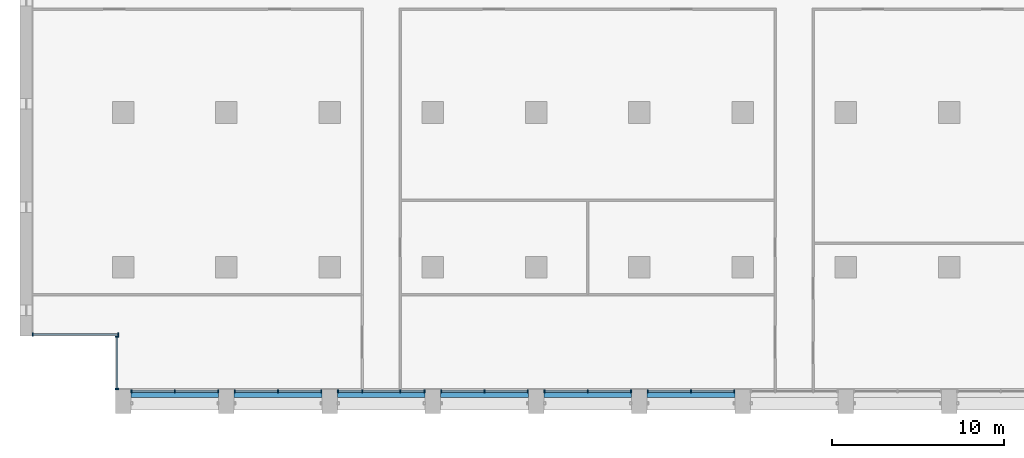
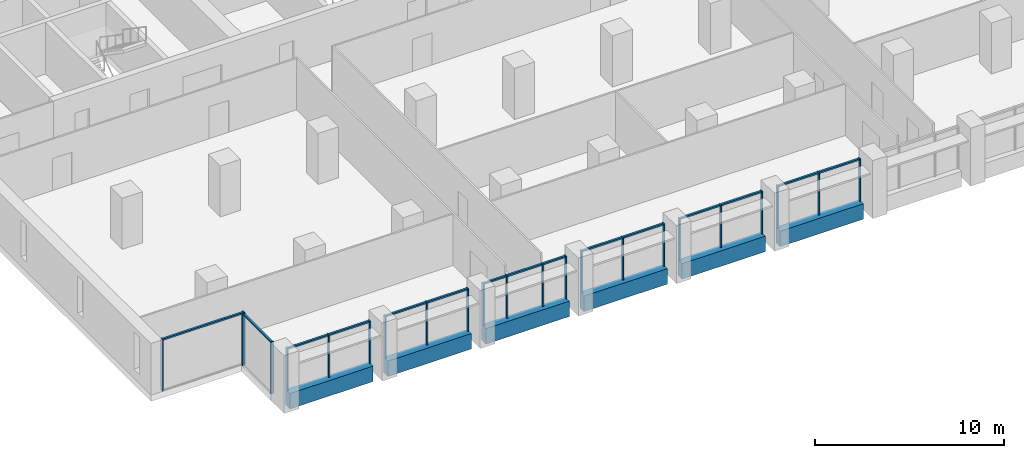
# One storey, part 2 of 15: 38 members, 6 beams, 8 elements without a shape of their own.
"""IFC4 building model written with IfcOpenShell, lengths in metres."""

from ifc_helpers import new_model, si_unit, direction, frame, origin, origin_2d, place, context, subcontext, project, spatial, rectangle, extrude, material, material_profile, profile_set, type_object, element, aggregate, save


model = new_model("IFC4")

# Units and contexts
model_context = context("Model", 3, precision=1e-05, world=origin(), true_north=direction((0.0, 1.0)))
body_context = subcontext(model_context, "Body", "Model", "MODEL_VIEW")
ifc_project = project(units=[si_unit("LENGTHUNIT", "METRE"), si_unit("AREAUNIT", "SQUARE_METRE"), si_unit("VOLUMEUNIT", "CUBIC_METRE"), si_unit("PLANEANGLEUNIT", "RADIAN"), si_unit("MASSUNIT", "GRAM", prefix="KILO")], contexts=[model_context])

# Site, building, storey
site_placement = place(None, origin())
site = spatial("IfcSite", under=ifc_project, at=site_placement, CompositionType="ELEMENT")
building_placement = place(site_placement, origin())
building = spatial("IfcBuilding", under=site, at=building_placement, Name="Calvaro Tower", CompositionType="ELEMENT")
storey_placement = place(building_placement, frame((0.0, 0.0, 143.75)))
storey = spatial("IfcBuildingStorey", under=building, at=storey_placement, Name="L36", CompositionType="ELEMENT", Elevation=143.75)

# Curtain wall, members
ifc_material_1 = material(Name="Anodised aluminium", Category="aluminium")
curtain_wall_type = type_object("IfcCurtainWallType", Name="Office curtain wall, middle zone", PredefinedType="NOTDEFINED", material=ifc_material_1)
curtain_wall_1_placement = place(storey_placement, origin())
curtain_wall_1 = element("IfcCurtainWall", 1, at=curtain_wall_1_placement, inside=storey, type_object=curtain_wall_type, Name="CW2 south curtain wall", PredefinedType="NOTDEFINED")
ifc_material_2 = material(Name="Anodised aluminium", Category="aluminium")
ifc_material_profile_1 = material_profile(ifc_material_2, rectangle(XDim=0.199951171875, YDim=0.070068359375, at=origin_2d()), Name="Mullion S2 70 x 200")
ifc_profile_set_1 = profile_set([ifc_material_profile_1], Name="Anodised aluminium")
member_type_1 = type_object("IfcMemberType", Name="Mullion S2 70 x 200", PredefinedType="MULLION", material=ifc_profile_set_1)
member_1_placement = place(storey_placement, frame((6.485107421875, 2.800048828125, 0.0), z_axis=(0.0, 0.0, 1.0), x_axis=(0.0, 1.0, 0.0)))
member_1 = element("IfcMember", 2, at=member_1_placement, type_object=member_type_1, Name="CW2 mullion 1", PredefinedType="MULLION", context=body_context, shape_type="SweptSolid", body=[
    extrude(rectangle(XDim=0.199951171875, YDim=0.070068359375, at=origin_2d()), origin(), (0.0, 0.0, 1.0), 2.75),
])
member_2_placement = place(storey_placement, frame((9.0, 2.800048828125, 0.0), z_axis=(0.0, 0.0, 1.0), x_axis=(0.0, 1.0, 0.0)))
member_2 = element("IfcMember", 3, at=member_2_placement, type_object=member_type_1, Name="CW2 mullion 2", PredefinedType="MULLION", context=body_context, shape_type="SweptSolid", body=[
    extrude(rectangle(XDim=0.199951171875, YDim=0.070068359375, at=origin_2d()), origin(), (0.0, 0.0, 1.0), 2.75),
])
member_3_placement = place(storey_placement, frame((11.514892578125, 2.800048828125, 0.0), z_axis=(0.0, 0.0, 1.0), x_axis=(0.0, 1.0, 0.0)))
member_3 = element("IfcMember", 4, at=member_3_placement, type_object=member_type_1, Name="CW2 mullion 3", PredefinedType="MULLION", context=body_context, shape_type="SweptSolid", body=[
    extrude(rectangle(XDim=0.199951171875, YDim=0.070068359375, at=origin_2d()), origin(), (0.0, 0.0, 1.0), 2.75),
])

curtain_wall_2_placement = place(storey_placement, origin())
curtain_wall_2 = element("IfcCurtainWall", 5, at=curtain_wall_2_placement, inside=storey, type_object=curtain_wall_type, Name="CW2 south curtain wall", PredefinedType="NOTDEFINED")
member_4_placement = place(storey_placement, frame((12.485107421875, 2.800048828125, 0.0), z_axis=(0.0, 0.0, 1.0), x_axis=(0.0, 1.0, 0.0)))
member_4 = element("IfcMember", 6, at=member_4_placement, type_object=member_type_1, Name="CW2 mullion 1", PredefinedType="MULLION", context=body_context, shape_type="SweptSolid", body=[
    extrude(rectangle(XDim=0.199951171875, YDim=0.070068359375, at=origin_2d()), origin(), (0.0, 0.0, 1.0), 2.75),
])
member_5_placement = place(storey_placement, frame((15.0, 2.800048828125, 0.0), z_axis=(0.0, 0.0, 1.0), x_axis=(0.0, 1.0, 0.0)))
member_5 = element("IfcMember", 7, at=member_5_placement, type_object=member_type_1, Name="CW2 mullion 2", PredefinedType="MULLION", context=body_context, shape_type="SweptSolid", body=[
    extrude(rectangle(XDim=0.199951171875, YDim=0.070068359375, at=origin_2d()), origin(), (0.0, 0.0, 1.0), 2.75),
])
member_6_placement = place(storey_placement, frame((17.514892578125, 2.800048828125, 0.0), z_axis=(0.0, 0.0, 1.0), x_axis=(0.0, 1.0, 0.0)))
member_6 = element("IfcMember", 8, at=member_6_placement, type_object=member_type_1, Name="CW2 mullion 3", PredefinedType="MULLION", context=body_context, shape_type="SweptSolid", body=[
    extrude(rectangle(XDim=0.199951171875, YDim=0.070068359375, at=origin_2d()), origin(), (0.0, 0.0, 1.0), 2.75),
])

curtain_wall_3_placement = place(storey_placement, origin())
curtain_wall_3 = element("IfcCurtainWall", 9, at=curtain_wall_3_placement, inside=storey, type_object=curtain_wall_type, Name="CW2 south curtain wall", PredefinedType="NOTDEFINED")
member_7_placement = place(storey_placement, frame((18.485107421875, 2.800048828125, 0.0), z_axis=(0.0, 0.0, 1.0), x_axis=(0.0, 1.0, 0.0)))
member_7 = element("IfcMember", 10, at=member_7_placement, type_object=member_type_1, Name="CW2 mullion 1", PredefinedType="MULLION", context=body_context, shape_type="SweptSolid", body=[
    extrude(rectangle(XDim=0.199951171875, YDim=0.070068359375, at=origin_2d()), origin(), (0.0, 0.0, 1.0), 2.75),
])
member_8_placement = place(storey_placement, frame((19.89990234375, 2.800048828125, 0.0), z_axis=(0.0, 0.0, 1.0), x_axis=(0.0, 1.0, 0.0)))
member_8 = element("IfcMember", 11, at=member_8_placement, type_object=member_type_1, Name="CW2 mullion 2", PredefinedType="MULLION", context=body_context, shape_type="SweptSolid", body=[
    extrude(rectangle(XDim=0.199951171875, YDim=0.070068359375, at=origin_2d()), origin(), (0.0, 0.0, 1.0), 2.75),
])
member_9_placement = place(storey_placement, frame((22.10009765625, 2.800048828125, 0.0), z_axis=(0.0, 0.0, 1.0), x_axis=(0.0, 1.0, 0.0)))
member_9 = element("IfcMember", 12, at=member_9_placement, type_object=member_type_1, Name="CW2 mullion 3", PredefinedType="MULLION", context=body_context, shape_type="SweptSolid", body=[
    extrude(rectangle(XDim=0.199951171875, YDim=0.070068359375, at=origin_2d()), origin(), (0.0, 0.0, 1.0), 2.75),
])
member_10_placement = place(storey_placement, frame((23.514892578125, 2.800048828125, 0.0), z_axis=(0.0, 0.0, 1.0), x_axis=(0.0, 1.0, 0.0)))
member_10 = element("IfcMember", 13, at=member_10_placement, type_object=member_type_1, Name="CW2 mullion 4", PredefinedType="MULLION", context=body_context, shape_type="SweptSolid", body=[
    extrude(rectangle(XDim=0.199951171875, YDim=0.070068359375, at=origin_2d()), origin(), (0.0, 0.0, 1.0), 2.75),
])

curtain_wall_4_placement = place(storey_placement, origin())
curtain_wall_4 = element("IfcCurtainWall", 14, at=curtain_wall_4_placement, inside=storey, type_object=curtain_wall_type, Name="CW2 south curtain wall", PredefinedType="NOTDEFINED")
member_11_placement = place(storey_placement, frame((24.485107421875, 2.800048828125, 0.0), z_axis=(0.0, 0.0, 1.0), x_axis=(0.0, 1.0, 0.0)))
member_11 = element("IfcMember", 15, at=member_11_placement, type_object=member_type_1, Name="CW2 mullion 1", PredefinedType="MULLION", context=body_context, shape_type="SweptSolid", body=[
    extrude(rectangle(XDim=0.199951171875, YDim=0.070068359375, at=origin_2d()), origin(), (0.0, 0.0, 1.0), 2.75),
])
member_12_placement = place(storey_placement, frame((27.0, 2.800048828125, 0.0), z_axis=(0.0, 0.0, 1.0), x_axis=(0.0, 1.0, 0.0)))
member_12 = element("IfcMember", 16, at=member_12_placement, type_object=member_type_1, Name="CW2 mullion 2", PredefinedType="MULLION", context=body_context, shape_type="SweptSolid", body=[
    extrude(rectangle(XDim=0.199951171875, YDim=0.070068359375, at=origin_2d()), origin(), (0.0, 0.0, 1.0), 2.75),
])
member_13_placement = place(storey_placement, frame((29.514892578125, 2.800048828125, 0.0), z_axis=(0.0, 0.0, 1.0), x_axis=(0.0, 1.0, 0.0)))
member_13 = element("IfcMember", 17, at=member_13_placement, type_object=member_type_1, Name="CW2 mullion 3", PredefinedType="MULLION", context=body_context, shape_type="SweptSolid", body=[
    extrude(rectangle(XDim=0.199951171875, YDim=0.070068359375, at=origin_2d()), origin(), (0.0, 0.0, 1.0), 2.75),
])

curtain_wall_5_placement = place(storey_placement, origin())
curtain_wall_5 = element("IfcCurtainWall", 18, at=curtain_wall_5_placement, inside=storey, type_object=curtain_wall_type, Name="CW2 south curtain wall", PredefinedType="NOTDEFINED")
member_14_placement = place(storey_placement, frame((30.485107421875, 2.800048828125, 0.0), z_axis=(0.0, 0.0, 1.0), x_axis=(0.0, 1.0, 0.0)))
member_14 = element("IfcMember", 19, at=member_14_placement, type_object=member_type_1, Name="CW2 mullion 1", PredefinedType="MULLION", context=body_context, shape_type="SweptSolid", body=[
    extrude(rectangle(XDim=0.199951171875, YDim=0.070068359375, at=origin_2d()), origin(), (0.0, 0.0, 1.0), 2.75),
])
member_15_placement = place(storey_placement, frame((33.0, 2.800048828125, 0.0), z_axis=(0.0, 0.0, 1.0), x_axis=(0.0, 1.0, 0.0)))
member_15 = element("IfcMember", 20, at=member_15_placement, type_object=member_type_1, Name="CW2 mullion 2", PredefinedType="MULLION", context=body_context, shape_type="SweptSolid", body=[
    extrude(rectangle(XDim=0.199951171875, YDim=0.070068359375, at=origin_2d()), origin(), (0.0, 0.0, 1.0), 2.75),
])
member_16_placement = place(storey_placement, frame((35.514892578125, 2.800048828125, 0.0), z_axis=(0.0, 0.0, 1.0), x_axis=(0.0, 1.0, 0.0)))
member_16 = element("IfcMember", 21, at=member_16_placement, type_object=member_type_1, Name="CW2 mullion 3", PredefinedType="MULLION", context=body_context, shape_type="SweptSolid", body=[
    extrude(rectangle(XDim=0.199951171875, YDim=0.070068359375, at=origin_2d()), origin(), (0.0, 0.0, 1.0), 2.75),
])

curtain_wall_6_placement = place(storey_placement, origin())
curtain_wall_6 = element("IfcCurtainWall", 22, at=curtain_wall_6_placement, inside=storey, type_object=curtain_wall_type, Name="CW2 south curtain wall", PredefinedType="NOTDEFINED")
member_17_placement = place(storey_placement, frame((36.485107421875, 2.800048828125, 0.0), z_axis=(0.0, 0.0, 1.0), x_axis=(0.0, 1.0, 0.0)))
member_17 = element("IfcMember", 23, at=member_17_placement, type_object=member_type_1, Name="CW2 mullion 1", PredefinedType="MULLION", context=body_context, shape_type="SweptSolid", body=[
    extrude(rectangle(XDim=0.199951171875, YDim=0.070068359375, at=origin_2d()), origin(), (0.0, 0.0, 1.0), 2.75),
])
member_18_placement = place(storey_placement, frame((39.0, 2.800048828125, 0.0), z_axis=(0.0, 0.0, 1.0), x_axis=(0.0, 1.0, 0.0)))
member_18 = element("IfcMember", 24, at=member_18_placement, type_object=member_type_1, Name="CW2 mullion 2", PredefinedType="MULLION", context=body_context, shape_type="SweptSolid", body=[
    extrude(rectangle(XDim=0.199951171875, YDim=0.070068359375, at=origin_2d()), origin(), (0.0, 0.0, 1.0), 2.75),
])
member_19_placement = place(storey_placement, frame((41.514892578125, 2.800048828125, 0.0), z_axis=(0.0, 0.0, 1.0), x_axis=(0.0, 1.0, 0.0)))
member_19 = element("IfcMember", 25, at=member_19_placement, type_object=member_type_1, Name="CW2 mullion 3", PredefinedType="MULLION", context=body_context, shape_type="SweptSolid", body=[
    extrude(rectangle(XDim=0.199951171875, YDim=0.070068359375, at=origin_2d()), origin(), (0.0, 0.0, 1.0), 2.75),
])

curtain_wall_7_placement = place(storey_placement, origin())
curtain_wall_7 = element("IfcCurtainWall", 26, at=curtain_wall_7_placement, inside=storey, type_object=curtain_wall_type, Name="CW2 corner curtain wall", PredefinedType="NOTDEFINED")
member_20_placement = place(storey_placement, frame((5.64990234375, 2.93505859375, 0.0), z_axis=(0.0, 0.0, 1.0), x_axis=(-1.0, 0.0, 0.0)))
member_20 = element("IfcMember", 27, at=member_20_placement, type_object=member_type_1, Name="CW2 mullion 1", PredefinedType="MULLION", context=body_context, shape_type="SweptSolid", body=[
    extrude(rectangle(XDim=0.199951171875, YDim=0.070068359375, at=origin_2d()), origin(), (0.0, 0.0, 1.0), 3.35009765625),
])
member_21_placement = place(storey_placement, frame((5.64990234375, 5.965087890625, 0.0), z_axis=(0.0, 0.0, 1.0), x_axis=(-1.0, 0.0, 0.0)))
member_21 = element("IfcMember", 28, at=member_21_placement, type_object=member_type_1, Name="CW2 mullion 2", PredefinedType="MULLION", context=body_context, shape_type="SweptSolid", body=[
    extrude(rectangle(XDim=0.199951171875, YDim=0.070068359375, at=origin_2d()), origin(), (0.0, 0.0, 1.0), 3.35009765625),
])

curtain_wall_8_placement = place(storey_placement, origin())
curtain_wall_8 = element("IfcCurtainWall", 29, at=curtain_wall_8_placement, inside=storey, type_object=curtain_wall_type, Name="CW2 corner curtain wall", PredefinedType="NOTDEFINED")
member_22_placement = place(storey_placement, frame((0.735107421875, 6.10009765625, 0.0), z_axis=(0.0, 0.0, 1.0), x_axis=(0.0, 1.0, 0.0)))
member_22 = element("IfcMember", 30, at=member_22_placement, type_object=member_type_1, Name="CW2 mullion 1", PredefinedType="MULLION", context=body_context, shape_type="SweptSolid", body=[
    extrude(rectangle(XDim=0.199951171875, YDim=0.070068359375, at=origin_2d()), origin(), (0.0, 0.0, 1.0), 3.35009765625),
])
member_23_placement = place(storey_placement, frame((5.715087890625, 6.10009765625, 0.0), z_axis=(0.0, 0.0, 1.0), x_axis=(0.0, 1.0, 0.0)))
member_23 = element("IfcMember", 31, at=member_23_placement, type_object=member_type_1, Name="CW2 mullion 2", PredefinedType="MULLION", context=body_context, shape_type="SweptSolid", body=[
    extrude(rectangle(XDim=0.199951171875, YDim=0.070068359375, at=origin_2d()), origin(), (0.0, 0.0, 1.0), 3.35009765625),
])

# Beams
ifc_material_3 = material(Name="Concrete C50/60 precast", Category="concrete")
ifc_material_profile_2 = material_profile(ifc_material_3, rectangle(XDim=0.449951171875, YDim=1.0, at=origin_2d()), Name="RC 450x1000")
ifc_profile_set_2 = profile_set([ifc_material_profile_2], Name="Concrete C50/60 precast")
beam_type = type_object("IfcBeamType", Name="Spandrel beam 450x1000 C50/60", PredefinedType="SPANDREL", material=ifc_profile_set_2)
for number, where, z_axis, x_axis, name in (
    (32, (6.449951171875, 2.675048828125, -0.5), (1.0, 0.0, 0.0), (0.0, 1.0, 0.0), "Spandrel beam"),
    (33, (12.449951171875, 2.675048828125, -0.5), (1.0, 0.0, 0.0), (0.0, 1.0, 0.0), "Spandrel beam"),
    (34, (18.449951171875, 2.675048828125, -0.5), (1.0, 0.0, 0.0), (0.0, 1.0, 0.0), "Spandrel beam"),
    (35, (24.449951171875, 2.675048828125, -0.5), (1.0, 0.0, 0.0), (0.0, 1.0, 0.0), "Spandrel beam"),
    (36, (30.449951171875, 2.675048828125, -0.5), (1.0, 0.0, 0.0), (0.0, 1.0, 0.0), "Spandrel beam"),
    (37, (36.449951171875, 2.675048828125, -0.5), (1.0, 0.0, 0.0), (0.0, 1.0, 0.0), "Spandrel beam"),
):
    element("IfcBeam", number, at=place(storey_placement, frame(where, z_axis=z_axis, x_axis=x_axis)), inside=storey, type_object=beam_type, Name=name, PredefinedType="SPANDREL", context=body_context, shape_type="SweptSolid", body=[
        extrude(rectangle(XDim=0.449951171875, YDim=1.0, at=origin_2d()), origin(), (0.0, 0.0, 1.0), 5.10009765625),
    ])

# Member
ifc_material_4 = material(Name="Anodised aluminium", Category="aluminium")
ifc_material_profile_3 = material_profile(ifc_material_4, rectangle(XDim=0.1201171875, YDim=0.10009765625, at=origin_2d()), Name="Transom S2 100 x 120")
ifc_profile_set_3 = profile_set([ifc_material_profile_3], Name="Anodised aluminium")
member_type_2 = type_object("IfcMemberType", Name="Transom S2 100 x 120", PredefinedType="USERDEFINED", material=ifc_profile_set_3)
member_24_placement = place(storey_placement, frame((6.52001953125, 2.800048828125, 2.699951171875), z_axis=(1.0, 0.0, 0.0), x_axis=(0.0, 1.0, 0.0)))
member_24 = element("IfcMember", 38, at=member_24_placement, type_object=member_type_2, Name="CW2 transom 1.1", ObjectType="TRANSOM", PredefinedType="USERDEFINED", context=body_context, shape_type="SweptSolid", body=[
    extrude(rectangle(XDim=0.1201171875, YDim=0.10009765625, at=origin_2d()), origin(), (0.0, 0.0, 1.0), 2.445068359375),
])

member_25_placement = place(storey_placement, frame((9.034912109375, 2.800048828125, 2.699951171875), z_axis=(1.0, 0.0, 0.0), x_axis=(0.0, 1.0, 0.0)))
member_25 = element("IfcMember", 39, at=member_25_placement, type_object=member_type_2, Name="CW2 transom 2.1", ObjectType="TRANSOM", PredefinedType="USERDEFINED", context=body_context, shape_type="SweptSolid", body=[
    extrude(rectangle(XDim=0.1201171875, YDim=0.10009765625, at=origin_2d()), origin(), (0.0, 0.0, 1.0), 2.445068359375),
])

aggregate(curtain_wall_1, [member_1, member_2, member_3, member_24, member_25])

member_26_placement = place(storey_placement, frame((12.52001953125, 2.800048828125, 2.699951171875), z_axis=(1.0, 0.0, 0.0), x_axis=(0.0, 1.0, 0.0)))
member_26 = element("IfcMember", 40, at=member_26_placement, type_object=member_type_2, Name="CW2 transom 1.1", ObjectType="TRANSOM", PredefinedType="USERDEFINED", context=body_context, shape_type="SweptSolid", body=[
    extrude(rectangle(XDim=0.1201171875, YDim=0.10009765625, at=origin_2d()), origin(), (0.0, 0.0, 1.0), 2.445068359375),
])

member_27_placement = place(storey_placement, frame((15.034912109375, 2.800048828125, 2.699951171875), z_axis=(1.0, 0.0, 0.0), x_axis=(0.0, 1.0, 0.0)))
member_27 = element("IfcMember", 41, at=member_27_placement, type_object=member_type_2, Name="CW2 transom 2.1", ObjectType="TRANSOM", PredefinedType="USERDEFINED", context=body_context, shape_type="SweptSolid", body=[
    extrude(rectangle(XDim=0.1201171875, YDim=0.10009765625, at=origin_2d()), origin(), (0.0, 0.0, 1.0), 2.445068359375),
])

aggregate(curtain_wall_2, [member_4, member_5, member_6, member_26, member_27])

member_28_placement = place(storey_placement, frame((18.52001953125, 2.800048828125, 2.699951171875), z_axis=(1.0, 0.0, 0.0), x_axis=(0.0, 1.0, 0.0)))
member_28 = element("IfcMember", 42, at=member_28_placement, type_object=member_type_2, Name="CW2 transom 1.1", ObjectType="TRANSOM", PredefinedType="USERDEFINED", context=body_context, shape_type="SweptSolid", body=[
    extrude(rectangle(XDim=0.1201171875, YDim=0.10009765625, at=origin_2d()), origin(), (0.0, 0.0, 1.0), 1.344970703125),
])

member_29_placement = place(storey_placement, frame((19.93505859375, 2.800048828125, 2.699951171875), z_axis=(1.0, 0.0, 0.0), x_axis=(0.0, 1.0, 0.0)))
member_29 = element("IfcMember", 43, at=member_29_placement, type_object=member_type_2, Name="CW2 transom 2.1", ObjectType="TRANSOM", PredefinedType="USERDEFINED", context=body_context, shape_type="SweptSolid", body=[
    extrude(rectangle(XDim=0.1201171875, YDim=0.10009765625, at=origin_2d()), origin(), (0.0, 0.0, 1.0), 2.1298828125),
])

member_30_placement = place(storey_placement, frame((22.135009765625, 2.800048828125, 2.699951171875), z_axis=(1.0, 0.0, 0.0), x_axis=(0.0, 1.0, 0.0)))
member_30 = element("IfcMember", 44, at=member_30_placement, type_object=member_type_2, Name="CW2 transom 3.1", ObjectType="TRANSOM", PredefinedType="USERDEFINED", context=body_context, shape_type="SweptSolid", body=[
    extrude(rectangle(XDim=0.1201171875, YDim=0.10009765625, at=origin_2d()), origin(), (0.0, 0.0, 1.0), 1.344970703125),
])

aggregate(curtain_wall_3, [member_7, member_8, member_9, member_10, member_28, member_29, member_30])

member_31_placement = place(storey_placement, frame((24.52001953125, 2.800048828125, 2.699951171875), z_axis=(1.0, 0.0, 0.0), x_axis=(0.0, 1.0, 0.0)))
member_31 = element("IfcMember", 45, at=member_31_placement, type_object=member_type_2, Name="CW2 transom 1.1", ObjectType="TRANSOM", PredefinedType="USERDEFINED", context=body_context, shape_type="SweptSolid", body=[
    extrude(rectangle(XDim=0.1201171875, YDim=0.10009765625, at=origin_2d()), origin(), (0.0, 0.0, 1.0), 2.445068359375),
])

member_32_placement = place(storey_placement, frame((27.034912109375, 2.800048828125, 2.699951171875), z_axis=(1.0, 0.0, 0.0), x_axis=(0.0, 1.0, 0.0)))
member_32 = element("IfcMember", 46, at=member_32_placement, type_object=member_type_2, Name="CW2 transom 2.1", ObjectType="TRANSOM", PredefinedType="USERDEFINED", context=body_context, shape_type="SweptSolid", body=[
    extrude(rectangle(XDim=0.1201171875, YDim=0.10009765625, at=origin_2d()), origin(), (0.0, 0.0, 1.0), 2.445068359375),
])

aggregate(curtain_wall_4, [member_11, member_12, member_13, member_31, member_32])

member_33_placement = place(storey_placement, frame((30.52001953125, 2.800048828125, 2.699951171875), z_axis=(1.0, 0.0, 0.0), x_axis=(0.0, 1.0, 0.0)))
member_33 = element("IfcMember", 47, at=member_33_placement, type_object=member_type_2, Name="CW2 transom 1.1", ObjectType="TRANSOM", PredefinedType="USERDEFINED", context=body_context, shape_type="SweptSolid", body=[
    extrude(rectangle(XDim=0.1201171875, YDim=0.10009765625, at=origin_2d()), origin(), (0.0, 0.0, 1.0), 2.445068359375),
])

member_34_placement = place(storey_placement, frame((33.034912109375, 2.800048828125, 2.699951171875), z_axis=(1.0, 0.0, 0.0), x_axis=(0.0, 1.0, 0.0)))
member_34 = element("IfcMember", 48, at=member_34_placement, type_object=member_type_2, Name="CW2 transom 2.1", ObjectType="TRANSOM", PredefinedType="USERDEFINED", context=body_context, shape_type="SweptSolid", body=[
    extrude(rectangle(XDim=0.1201171875, YDim=0.10009765625, at=origin_2d()), origin(), (0.0, 0.0, 1.0), 2.445068359375),
])

aggregate(curtain_wall_5, [member_14, member_15, member_16, member_33, member_34])

member_35_placement = place(storey_placement, frame((36.52001953125, 2.800048828125, 2.699951171875), z_axis=(1.0, 0.0, 0.0), x_axis=(0.0, 1.0, 0.0)))
member_35 = element("IfcMember", 49, at=member_35_placement, type_object=member_type_2, Name="CW2 transom 1.1", ObjectType="TRANSOM", PredefinedType="USERDEFINED", context=body_context, shape_type="SweptSolid", body=[
    extrude(rectangle(XDim=0.1201171875, YDim=0.10009765625, at=origin_2d()), origin(), (0.0, 0.0, 1.0), 2.445068359375),
])

member_36_placement = place(storey_placement, frame((39.034912109375, 2.800048828125, 2.699951171875), z_axis=(1.0, 0.0, 0.0), x_axis=(0.0, 1.0, 0.0)))
member_36 = element("IfcMember", 50, at=member_36_placement, type_object=member_type_2, Name="CW2 transom 2.1", ObjectType="TRANSOM", PredefinedType="USERDEFINED", context=body_context, shape_type="SweptSolid", body=[
    extrude(rectangle(XDim=0.1201171875, YDim=0.10009765625, at=origin_2d()), origin(), (0.0, 0.0, 1.0), 2.445068359375),
])

aggregate(curtain_wall_6, [member_17, member_18, member_19, member_35, member_36])

member_37_placement = place(storey_placement, frame((5.64990234375, 2.969970703125, 3.300048828125), z_axis=(0.0, 1.0, 0.0), x_axis=(-1.0, 0.0, 0.0)))
member_37 = element("IfcMember", 51, at=member_37_placement, type_object=member_type_2, Name="CW2 transom 1.1", ObjectType="TRANSOM", PredefinedType="USERDEFINED", context=body_context, shape_type="SweptSolid", body=[
    extrude(rectangle(XDim=0.1201171875, YDim=0.10009765625, at=origin_2d()), origin(), (0.0, 0.0, 1.0), 2.9599609375),
])

aggregate(curtain_wall_7, [member_20, member_21, member_37])

member_38_placement = place(storey_placement, frame((0.77001953125, 6.10009765625, 3.300048828125), z_axis=(1.0, 0.0, 0.0), x_axis=(0.0, 1.0, 0.0)))
member_38 = element("IfcMember", 52, at=member_38_placement, type_object=member_type_2, Name="CW2 transom 1.1", ObjectType="TRANSOM", PredefinedType="USERDEFINED", context=body_context, shape_type="SweptSolid", body=[
    extrude(rectangle(XDim=0.1201171875, YDim=0.10009765625, at=origin_2d()), origin(), (0.0, 0.0, 1.0), 4.909912109375),
])

aggregate(curtain_wall_8, [member_22, member_23, member_38])

save(model, "model.ifc")
